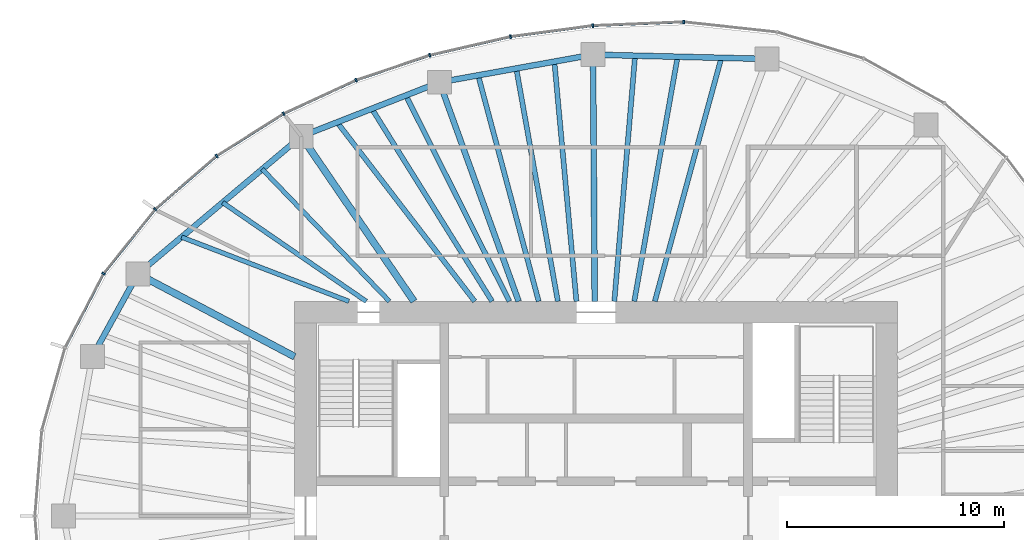
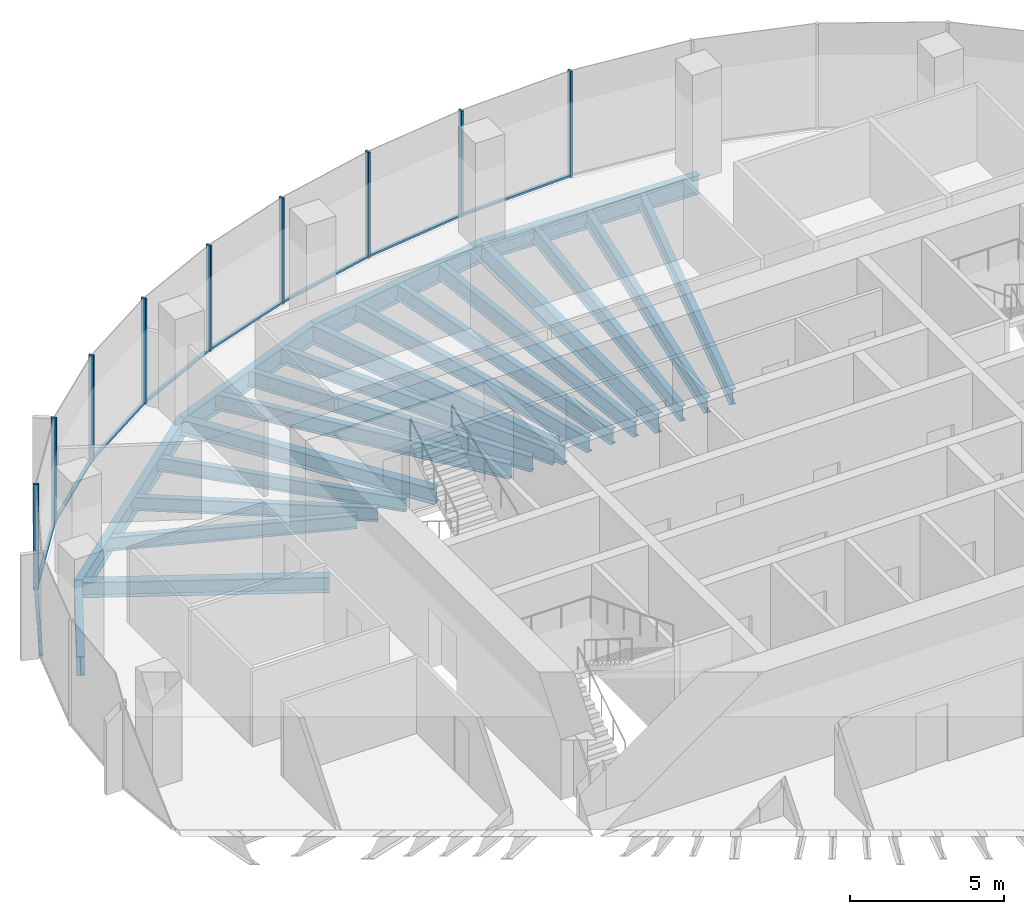
# One storey, part 5 of 12: 21 beams, 18 members, 5 elements without a shape of their own.
"""IFC4 building model written with IfcOpenShell, lengths in metres."""

from ifc_helpers import new_model, si_unit, direction, frame, origin, origin_2d, place, context, subcontext, project, spatial, rectangle, i_section, extrude, material, material_profile, profile_set, type_object, element, aggregate, save


model = new_model("IFC4")

# Units and contexts
model_context = context("Model", 3, precision=1e-05, world=origin(), true_north=direction((0.0, 1.0)))
body_context = subcontext(model_context, "Body", "Model", "MODEL_VIEW")
ifc_project = project(units=[si_unit("LENGTHUNIT", "METRE"), si_unit("AREAUNIT", "SQUARE_METRE"), si_unit("VOLUMEUNIT", "CUBIC_METRE"), si_unit("PLANEANGLEUNIT", "RADIAN"), si_unit("MASSUNIT", "GRAM", prefix="KILO")], contexts=[model_context])

# Site, building, storey
site_placement = place(None, origin())
site = spatial("IfcSite", under=ifc_project, at=site_placement, CompositionType="ELEMENT")
building_placement = place(site_placement, origin())
building = spatial("IfcBuilding", under=site, at=building_placement, Name="Ghaith Harvest Tower", CompositionType="ELEMENT")
storey_placement = place(building_placement, frame((0.0, 0.0, 300.60009765625)))
storey = spatial("IfcBuildingStorey", under=building, at=storey_placement, Name="L67", CompositionType="ELEMENT", Elevation=300.60009765625)

# Curtain wall, member
ifc_material_1 = material(Name="Black anodised aluminium and fritted glass", Category="aluminium")
curtain_wall_type = type_object("IfcCurtainWallType", Name="CW-T CURTAIN WALL", PredefinedType="NOTDEFINED", material=ifc_material_1)
curtain_wall_1_placement = place(storey_placement, origin())
curtain_wall_1 = element("IfcCurtainWall", 1, at=curtain_wall_1_placement, inside=storey, type_object=curtain_wall_type, Name="Curtain wall CW-T bay 05 L67", PredefinedType="NOTDEFINED")
ifc_material_2 = material(Name="Aluminium, black anodised", Category="aluminium")
ifc_material_profile_1 = material_profile(ifc_material_2, rectangle(XDim=0.080078125, YDim=0.179931640625, at=origin_2d()), Name="CW-T MULLION 80x180")
ifc_profile_set_1 = profile_set([ifc_material_profile_1], Name="Aluminium, black anodised")
member_type_1 = type_object("IfcMemberType", Name="CW-T MULLION 80x180", PredefinedType="MULLION", material=ifc_profile_set_1)
member_1_placement = place(storey_placement, frame((4.037841796875, 22.776611328125, 0.0), z_axis=(0.0, 0.0, 1.0), x_axis=(-0.999388631236, 0.034962319079, 0.0)))
member_1 = element("IfcMember", 2, at=member_1_placement, type_object=member_type_1, Name="CW-T mullion 2 bay 05 L67", PredefinedType="MULLION", context=body_context, shape_type="SweptSolid", body=[
    extrude(rectangle(XDim=0.080078125, YDim=0.179931640625, at=origin_2d()), origin(), (0.0, 0.0, 1.0), 4.199951171875),
])

# Curtain wall, members
curtain_wall_2_placement = place(storey_placement, origin())
curtain_wall_2 = element("IfcCurtainWall", 3, at=curtain_wall_2_placement, inside=storey, type_object=curtain_wall_type, Name="Curtain wall CW-T bay 06 L67", PredefinedType="NOTDEFINED")
member_2_placement = place(storey_placement, frame((-0.15478515625, 22.60595703125, 0.0), z_axis=(0.0, 0.0, 1.0), x_axis=(-0.996414855482, -0.084601629853, 0.0)))
member_2 = element("IfcMember", 4, at=member_2_placement, type_object=member_type_1, Name="CW-T mullion 1 bay 06 L67", PredefinedType="MULLION", context=body_context, shape_type="SweptSolid", body=[
    extrude(rectangle(XDim=0.080078125, YDim=0.179931640625, at=origin_2d()), origin(), (0.0, 0.0, 1.0), 4.199951171875),
])
member_3_placement = place(storey_placement, frame((-3.946533203125, 22.0986328125, 0.0), z_axis=(0.0, 0.0, 1.0), x_axis=(-0.983843447681, -0.179030920389, 0.0)))
member_3 = element("IfcMember", 5, at=member_3_placement, type_object=member_type_1, Name="CW-T mullion 2 bay 06 L67", PredefinedType="MULLION", context=body_context, shape_type="SweptSolid", body=[
    extrude(rectangle(XDim=0.080078125, YDim=0.179931640625, at=origin_2d()), origin(), (0.0, 0.0, 1.0), 4.199951171875),
])

curtain_wall_3_placement = place(storey_placement, origin())
curtain_wall_3 = element("IfcCurtainWall", 6, at=curtain_wall_3_placement, inside=storey, type_object=curtain_wall_type, Name="Curtain wall CW-T bay 07 L67", PredefinedType="NOTDEFINED")
member_4_placement = place(storey_placement, frame((-7.6708984375, 21.23828125, 0.0), z_axis=(0.0, 0.0, 1.0), x_axis=(-0.962552491436, -0.27109537294, 0.0)))
member_4 = element("IfcMember", 7, at=member_4_placement, type_object=member_type_1, Name="CW-T mullion 1 bay 07 L67", PredefinedType="MULLION", context=body_context, shape_type="SweptSolid", body=[
    extrude(rectangle(XDim=0.080078125, YDim=0.179931640625, at=origin_2d()), origin(), (0.0, 0.0, 1.0), 4.199951171875),
])
member_5_placement = place(storey_placement, frame((-11.0673828125, 20.093017578125, 0.0), z_axis=(0.0, 0.0, 1.0), x_axis=(-0.928624420706, -0.371021138573, 0.0)))
member_5 = element("IfcMember", 8, at=member_5_placement, type_object=member_type_1, Name="CW-T mullion 2 bay 07 L67", PredefinedType="MULLION", context=body_context, shape_type="SweptSolid", body=[
    extrude(rectangle(XDim=0.080078125, YDim=0.179931640625, at=origin_2d()), origin(), (0.0, 0.0, 1.0), 4.199951171875),
])

curtain_wall_4_placement = place(storey_placement, origin())
curtain_wall_4 = element("IfcCurtainWall", 9, at=curtain_wall_4_placement, inside=storey, type_object=curtain_wall_type, Name="Curtain wall CW-T bay 08 L67", PredefinedType="NOTDEFINED")
member_6_placement = place(storey_placement, frame((-14.40478515625, 18.5478515625, 0.0), z_axis=(0.0, 0.0, 1.0), x_axis=(-0.87867173244, -0.477426420101, 0.0)))
member_6 = element("IfcMember", 10, at=member_6_placement, type_object=member_type_1, Name="CW-T mullion 1 bay 08 L67", PredefinedType="MULLION", context=body_context, shape_type="SweptSolid", body=[
    extrude(rectangle(XDim=0.080078125, YDim=0.179931640625, at=origin_2d()), origin(), (0.0, 0.0, 1.0), 4.199951171875),
])
member_7_placement = place(storey_placement, frame((-17.49462890625, 16.600830078125, 0.0), z_axis=(0.0, 0.0, 1.0), x_axis=(-0.802189888678, -0.597068993084, 0.0)))
member_7 = element("IfcMember", 11, at=member_7_placement, type_object=member_type_1, Name="CW-T mullion 2 bay 08 L67", PredefinedType="MULLION", context=body_context, shape_type="SweptSolid", body=[
    extrude(rectangle(XDim=0.080078125, YDim=0.179931640625, at=origin_2d()), origin(), (0.0, 0.0, 1.0), 4.199951171875),
])

curtain_wall_5_placement = place(storey_placement, origin())
curtain_wall_5 = element("IfcCurtainWall", 12, at=curtain_wall_5_placement, inside=storey, type_object=curtain_wall_type, Name="Curtain wall CW-T bay 09 L67", PredefinedType="NOTDEFINED")
member_8_placement = place(storey_placement, frame((-20.324462890625, 14.141845703125, 0.0), z_axis=(0.0, 0.0, 1.0), x_axis=(-0.692826491995, -0.72110432809, 0.0)))
member_8 = element("IfcMember", 13, at=member_8_placement, type_object=member_type_1, Name="CW-T mullion 1 bay 09 L67", PredefinedType="MULLION", context=body_context, shape_type="SweptSolid", body=[
    extrude(rectangle(XDim=0.080078125, YDim=0.179931640625, at=origin_2d()), origin(), (0.0, 0.0, 1.0), 4.199951171875),
])
member_9_placement = place(storey_placement, frame((-22.706298828125, 11.176513671875, 0.0), z_axis=(0.0, 0.0, 1.0), x_axis=(-0.545865412621, -0.837872872997, 0.0)))
member_9 = element("IfcMember", 14, at=member_9_placement, type_object=member_type_1, Name="CW-T mullion 2 bay 09 L67", PredefinedType="MULLION", context=body_context, shape_type="SweptSolid", body=[
    extrude(rectangle(XDim=0.080078125, YDim=0.179931640625, at=origin_2d()), origin(), (0.0, 0.0, 1.0), 4.199951171875),
])

# Member
ifc_material_3 = material(Name="Aluminium, black anodised", Category="aluminium")
ifc_material_profile_2 = material_profile(ifc_material_3, rectangle(XDim=0.1201171875, YDim=0.080078125, at=origin_2d()), Name="CW-T TRANSOM 120x80")
ifc_profile_set_2 = profile_set([ifc_material_profile_2], Name="Aluminium, black anodised")
member_type_2 = type_object("IfcMemberType", Name="CW-T TRANSOM 120x80", PredefinedType="USERDEFINED", material=ifc_profile_set_2)
member_10_placement = place(storey_placement, frame((3.997802734375, 22.77490234375, 0.039794921875), z_axis=(-0.999174207562, -0.040631304968, 0.0), x_axis=(0.040631304968, -0.999174207562, 0.0)))
member_10 = element("IfcMember", 15, at=member_10_placement, type_object=member_type_2, Name="CW-T transom 2 bay 05 L67", ObjectType="TRANSOM", PredefinedType="USERDEFINED", context=body_context, shape_type="SweptSolid", body=[
    extrude(rectangle(XDim=0.1201171875, YDim=0.080078125, at=origin_2d()), origin(), (0.0, 0.0, 1.0), 4.115966796875),
])

aggregate(curtain_wall_1, [member_1, member_10])

member_11_placement = place(storey_placement, frame((-0.1943359375, 22.6005859375, 0.039794921875), z_axis=(-0.99117202259, -0.132582131655, 0.0), x_axis=(0.132582131655, -0.99117202259, 0.0)))
member_11 = element("IfcMember", 16, at=member_11_placement, type_object=member_type_2, Name="CW-T transom 1 bay 06 L67", ObjectType="TRANSOM", PredefinedType="USERDEFINED", context=body_context, shape_type="SweptSolid", body=[
    extrude(rectangle(XDim=0.1201171875, YDim=0.080078125, at=origin_2d()), origin(), (0.0, 0.0, 1.0), 3.745361328125),
])

member_12_placement = place(storey_placement, frame((-3.9853515625, 22.089599609375, 0.039794921875), z_axis=(-0.974344997799, -0.225059603803, 0.0), x_axis=(0.225059603803, -0.974344997799, 0.0)))
member_12 = element("IfcMember", 17, at=member_12_placement, type_object=member_type_2, Name="CW-T transom 2 bay 06 L67", ObjectType="TRANSOM", PredefinedType="USERDEFINED", context=body_context, shape_type="SweptSolid", body=[
    extrude(rectangle(XDim=0.1201171875, YDim=0.080078125, at=origin_2d()), origin(), (0.0, 0.0, 1.0), 3.742431640625),
])

aggregate(curtain_wall_2, [member_2, member_11, member_3, member_12])

member_13_placement = place(storey_placement, frame((-7.708740234375, 21.2255859375, 0.039794921875), z_axis=(-0.9475698206, -0.319548799228, 0.0), x_axis=(0.319548799228, -0.9475698206, 0.0)))
member_13 = element("IfcMember", 18, at=member_13_placement, type_object=member_type_2, Name="CW-T transom 1 bay 07 L67", ObjectType="TRANSOM", PredefinedType="USERDEFINED", context=body_context, shape_type="SweptSolid", body=[
    extrude(rectangle(XDim=0.1201171875, YDim=0.080078125, at=origin_2d()), origin(), (0.0, 0.0, 1.0), 3.504638671875),
])

member_14_placement = place(storey_placement, frame((-11.103759765625, 20.076171875, 0.039794921875), z_axis=(-0.907472177056, -0.420112184862, 0.0), x_axis=(0.420112184862, -0.907472177056, 0.0)))
member_14 = element("IfcMember", 19, at=member_14_placement, type_object=member_type_2, Name="CW-T transom 2 bay 07 L67", ObjectType="TRANSOM", PredefinedType="USERDEFINED", context=body_context, shape_type="SweptSolid", body=[
    extrude(rectangle(XDim=0.1201171875, YDim=0.080078125, at=origin_2d()), origin(), (0.0, 0.0, 1.0), 3.597900390625),
])

aggregate(curtain_wall_3, [member_4, member_13, member_5, member_14])

member_15_placement = place(storey_placement, frame((-14.438720703125, 18.5263671875, 0.039794921875), z_axis=(-0.846053602505, -0.533097835006, 0.0), x_axis=(0.533097835006, -0.846053602505, 0.0)))
member_15 = element("IfcMember", 20, at=member_15_placement, type_object=member_type_2, Name="CW-T transom 1 bay 08 L67", ObjectType="TRANSOM", PredefinedType="USERDEFINED", context=body_context, shape_type="SweptSolid", body=[
    extrude(rectangle(XDim=0.1201171875, YDim=0.080078125, at=origin_2d()), origin(), (0.0, 0.0, 1.0), 3.572021484375),
])

member_16_placement = place(storey_placement, frame((-17.52490234375, 16.574462890625, 0.039794921875), z_axis=(-0.754851889287, -0.65589528527, 0.0), x_axis=(0.65589528527, -0.754851889287, 0.0)))
member_16 = element("IfcMember", 21, at=member_16_placement, type_object=member_type_2, Name="CW-T transom 2 bay 08 L67", ObjectType="TRANSOM", PredefinedType="USERDEFINED", context=body_context, shape_type="SweptSolid", body=[
    extrude(rectangle(XDim=0.1201171875, YDim=0.080078125, at=origin_2d()), origin(), (0.0, 0.0, 1.0), 3.668701171875),
])

aggregate(curtain_wall_4, [member_6, member_15, member_7, member_16])

member_17_placement = place(storey_placement, frame((-20.349365234375, 14.110595703125, 0.039794921875), z_axis=(-0.626253073761, -0.779619835307, 0.0), x_axis=(0.779619835307, -0.626253073761, 0.0)))
member_17 = element("IfcMember", 22, at=member_17_placement, type_object=member_type_2, Name="CW-T transom 1 bay 09 L67", ObjectType="TRANSOM", PredefinedType="USERDEFINED", context=body_context, shape_type="SweptSolid", body=[
    extrude(rectangle(XDim=0.1201171875, YDim=0.080078125, at=origin_2d()), origin(), (0.0, 0.0, 1.0), 3.723388671875),
])

member_18_placement = place(storey_placement, frame((-22.724609375, 11.14111328125, 0.039794921875), z_axis=(-0.461242681347, -0.887274021317, 0.0), x_axis=(0.887274021317, -0.461242681347, 0.0)))
member_18 = element("IfcMember", 23, at=member_18_placement, type_object=member_type_2, Name="CW-T transom 2 bay 09 L67", ObjectType="TRANSOM", PredefinedType="USERDEFINED", context=body_context, shape_type="SweptSolid", body=[
    extrude(rectangle(XDim=0.1201171875, YDim=0.080078125, at=origin_2d()), origin(), (0.0, 0.0, 1.0), 3.77197265625),
])

aggregate(curtain_wall_5, [member_8, member_17, member_9, member_18])

# Beams
ifc_material_4 = material(Name="Steel ASTM A992 Grade 50", Category="steel")
ifc_material_profile_3 = material_profile(ifc_material_4, i_section(OverallWidth=0.26611328125, OverallDepth=0.758056640625, WebThickness=0.013916015625, FlangeThickness=0.019287109375, at=origin_2d()), Name="W760X161")
ifc_profile_set_3 = profile_set([ifc_material_profile_3], Name="Steel ASTM A992 Grade 50")
beam_type_1 = type_object("IfcBeamType", Name="E760-161 W760X161", PredefinedType="SPANDREL", material=ifc_profile_set_3)
beam_1_placement = place(storey_placement, frame((7.8779296875, 21.072021484375, -0.549072265625), z_axis=(-0.999692679676, 0.024790042413, 0.0), x_axis=(-0.024790042413, -0.999692679676, 0.0)))
element("IfcBeam", 24, at=beam_1_placement, inside=storey, type_object=beam_type_1, Name="Edge beam E05 L67", PredefinedType="SPANDREL", context=body_context, shape_type="SweptSolid", body=[
    extrude(i_section(OverallWidth=0.26611328125, OverallDepth=0.758056640625, WebThickness=0.013916015625, FlangeThickness=0.019287109375, at=origin_2d()), origin(), (0.0, 0.0, 1.0), 8.0263671875),
])
beam_2_placement = place(storey_placement, frame((-0.14599609375, 21.27099609375, -0.549072265625), z_axis=(-0.984177047684, -0.177187863051, 0.0), x_axis=(0.177187863051, -0.984177047684, 0.0)))
element("IfcBeam", 25, at=beam_2_placement, inside=storey, type_object=beam_type_1, Name="Edge beam E06 L67", PredefinedType="SPANDREL", context=body_context, shape_type="SweptSolid", body=[
    extrude(i_section(OverallWidth=0.26611328125, OverallDepth=0.758056640625, WebThickness=0.013916015625, FlangeThickness=0.019287109375, at=origin_2d()), origin(), (0.0, 0.0, 1.0), 7.189697265625),
])
beam_3_placement = place(storey_placement, frame((-7.221923828125, 19.9970703125, -0.549072265625), z_axis=(-0.931322768207, -0.364194867371, 0.0), x_axis=(0.364194867371, -0.931322768207, 0.0)))
element("IfcBeam", 26, at=beam_3_placement, inside=storey, type_object=beam_type_1, Name="Edge beam E07 L67", PredefinedType="SPANDREL", context=body_context, shape_type="SweptSolid", body=[
    extrude(i_section(OverallWidth=0.26611328125, OverallDepth=0.758056640625, WebThickness=0.013916015625, FlangeThickness=0.019287109375, at=origin_2d()), origin(), (0.0, 0.0, 1.0), 6.843017578125),
])
beam_4_placement = place(storey_placement, frame((-13.594970703125, 17.5048828125, -0.549072265625), z_axis=(-0.765021818761, -0.64400436087, 0.0), x_axis=(0.64400436087, -0.765021818761, 0.0)))
element("IfcBeam", 27, at=beam_4_placement, inside=storey, type_object=beam_type_1, Name="Edge beam E08 L67", PredefinedType="SPANDREL", context=body_context, shape_type="SweptSolid", body=[
    extrude(i_section(OverallWidth=0.26611328125, OverallDepth=0.758056640625, WebThickness=0.013916015625, FlangeThickness=0.019287109375, at=origin_2d()), origin(), (0.0, 0.0, 1.0), 9.8427734375),
])
beam_5_placement = place(storey_placement, frame((-21.125, 11.166015625, -0.549072265625), z_axis=(-0.482955575345, -0.875644855089, 0.0), x_axis=(0.875644855089, -0.482955575345, 0.0)))
element("IfcBeam", 28, at=beam_5_placement, inside=storey, type_object=beam_type_1, Name="Edge beam E09 L67", PredefinedType="SPANDREL", context=body_context, shape_type="SweptSolid", body=[
    extrude(i_section(OverallWidth=0.26611328125, OverallDepth=0.758056640625, WebThickness=0.013916015625, FlangeThickness=0.019287109375, at=origin_2d()), origin(), (0.0, 0.0, 1.0), 4.346435546875),
])
ifc_material_5 = material(Name="Steel ASTM A992 Grade 50", Category="steel")
ifc_material_profile_4 = material_profile(ifc_material_5, i_section(OverallWidth=0.323974609375, OverallDepth=0.611083984375, WebThickness=0.0126953125, FlangeThickness=0.01904296875, at=origin_2d()), Name="W610X155")
ifc_profile_set_4 = profile_set([ifc_material_profile_4], Name="Steel ASTM A992 Grade 50")
beam_type_2 = type_object("IfcBeamType", Name="G610-155 W610X155", PredefinedType="BEAM", material=ifc_profile_set_4)
beam_6_placement = place(storey_placement, frame((-8.39990234375, 9.89990234375, -0.4755859375), z_axis=(-0.564067018201, 0.825729010619, 0.0), x_axis=(-0.825729010619, -0.564067018201, 0.0)))
element("IfcBeam", 29, at=beam_6_placement, inside=storey, type_object=beam_type_2, Name="Radial girder G08 L67", PredefinedType="BEAM", context=body_context, shape_type="SweptSolid", body=[
    extrude(i_section(OverallWidth=0.323974609375, OverallDepth=0.611083984375, WebThickness=0.0126953125, FlangeThickness=0.01904296875, at=origin_2d()), origin(), (0.0, 0.0, 1.0), 9.2099609375),
])
beam_7_placement = place(storey_placement, frame((-13.89990234375, 7.34716796875, -0.4755859375), z_axis=(-0.88410164037, 0.467294649546, 0.0), x_axis=(-0.467294649546, -0.88410164037, 0.0)))
element("IfcBeam", 30, at=beam_7_placement, inside=storey, type_object=beam_type_2, Name="Radial girder G09 L67", PredefinedType="BEAM", context=body_context, shape_type="SweptSolid", body=[
    extrude(i_section(OverallWidth=0.323974609375, OverallDepth=0.611083984375, WebThickness=0.0126953125, FlangeThickness=0.01904296875, at=origin_2d()), origin(), (0.0, 0.0, 1.0), 8.17236328125),
])
ifc_material_6 = material(Name="Steel ASTM A992 Grade 50", Category="steel")
ifc_material_profile_5 = material_profile(ifc_material_6, i_section(OverallWidth=0.26611328125, OverallDepth=0.758056640625, WebThickness=0.013916015625, FlangeThickness=0.019287109375, at=origin_2d()), Name="W760X161")
ifc_profile_set_5 = profile_set([ifc_material_profile_5], Name="Steel ASTM A992 Grade 50")
beam_type_3 = type_object("IfcBeamType", Name="G760-161 W760X161", PredefinedType="BEAM", material=ifc_profile_set_5)
beam_8_placement = place(storey_placement, frame((-0.06787109375, 9.89990234375, -0.549072265625), z_axis=(-0.00687032909, 0.999976399011, 0.0), x_axis=(-0.999976399011, -0.00687032909, 0.0)))
element("IfcBeam", 31, at=beam_8_placement, inside=storey, type_object=beam_type_3, Name="Radial girder G06 L67", PredefinedType="BEAM", context=body_context, shape_type="SweptSolid", body=[
    extrude(i_section(OverallWidth=0.26611328125, OverallDepth=0.758056640625, WebThickness=0.013916015625, FlangeThickness=0.019287109375, at=origin_2d()), origin(), (0.0, 0.0, 1.0), 11.371337890625),
])
beam_9_placement = place(storey_placement, frame((-3.57568359375, 9.89990234375, -0.549072265625), z_axis=(-0.339647816823, 0.940552688863, 0.0), x_axis=(-0.940552688863, -0.339647816823, 0.0)))
element("IfcBeam", 32, at=beam_9_placement, inside=storey, type_object=beam_type_3, Name="Radial girder G07 L67", PredefinedType="BEAM", context=body_context, shape_type="SweptSolid", body=[
    extrude(i_section(OverallWidth=0.26611328125, OverallDepth=0.758056640625, WebThickness=0.013916015625, FlangeThickness=0.019287109375, at=origin_2d()), origin(), (0.0, 0.0, 1.0), 10.7353515625),
])
ifc_material_7 = material(Name="Steel ASTM A992 Grade 50", Category="steel")
ifc_material_profile_6 = material_profile(ifc_material_7, i_section(OverallWidth=0.2109375, OverallDepth=0.5390625, WebThickness=0.01171875, FlangeThickness=0.018798828125, at=origin_2d()), Name="W530X109")
ifc_profile_set_6 = profile_set([ifc_material_profile_6], Name="Steel ASTM A992 Grade 50")
beam_type_4 = type_object("IfcBeamType", Name="J530-109 W530X109", PredefinedType="JOIST", material=ifc_profile_set_6)
beam_10_placement = place(storey_placement, frame((-9.530517578125, 9.89990234375, -0.439697265625), z_axis=(-0.693536238632, 0.720421741554, 0.0), x_axis=(-0.720421741554, -0.693536238632, 0.0)))
element("IfcBeam", 33, at=beam_10_placement, inside=storey, type_object=beam_type_4, Name="Joist J08.1 L67", PredefinedType="JOIST", context=body_context, shape_type="SweptSolid", body=[
    extrude(i_section(OverallWidth=0.2109375, OverallDepth=0.5390625, WebThickness=0.01171875, FlangeThickness=0.018798828125, at=origin_2d()), origin(), (0.0, 0.0, 1.0), 8.4541015625),
])
beam_11_placement = place(storey_placement, frame((-10.60009765625, 9.89990234375, -0.439697265625), z_axis=(-0.823778502511, 0.566911791023, 0.0), x_axis=(-0.566911791023, -0.823778502511, 0.0)))
element("IfcBeam", 34, at=beam_11_placement, inside=storey, type_object=beam_type_4, Name="Joist J08.2 L67", PredefinedType="JOIST", context=body_context, shape_type="SweptSolid", body=[
    extrude(i_section(OverallWidth=0.2109375, OverallDepth=0.5390625, WebThickness=0.01171875, FlangeThickness=0.018798828125, at=origin_2d()), origin(), (0.0, 0.0, 1.0), 8.0341796875),
])
beam_12_placement = place(storey_placement, frame((-11.39990234375, 9.89990234375, -0.439697265625), z_axis=(-0.933583045329, 0.358361127181, 0.0), x_axis=(-0.358361127181, -0.933583045329, 0.0)))
element("IfcBeam", 35, at=beam_12_placement, inside=storey, type_object=beam_type_4, Name="Joist J08.3 L67", PredefinedType="JOIST", context=body_context, shape_type="SweptSolid", body=[
    extrude(i_section(OverallWidth=0.2109375, OverallDepth=0.5390625, WebThickness=0.01171875, FlangeThickness=0.018798828125, at=origin_2d()), origin(), (0.0, 0.0, 1.0), 8.260986328125),
])
ifc_material_8 = material(Name="Steel ASTM A992 Grade 50", Category="steel")
ifc_material_profile_7 = material_profile(ifc_material_8, i_section(OverallWidth=0.22998046875, OverallDepth=0.616943359375, WebThickness=0.01318359375, FlangeThickness=0.022216796875, at=origin_2d()), Name="W610X140")
ifc_profile_set_7 = profile_set([ifc_material_profile_7], Name="Steel ASTM A992 Grade 50")
beam_type_5 = type_object("IfcBeamType", Name="J610-140 W610X140", PredefinedType="JOIST", material=ifc_profile_set_7)
beam_13_placement = place(storey_placement, frame((2.70361328125, 9.89990234375, -0.478515625), z_axis=(0.263456499314, 0.964671277156, 0.0), x_axis=(-0.964671277156, 0.263456499314, 0.0)))
element("IfcBeam", 36, at=beam_13_placement, inside=storey, type_object=beam_type_5, Name="Joist J05.1 L67", PredefinedType="JOIST", context=body_context, shape_type="SweptSolid", body=[
    extrude(i_section(OverallWidth=0.22998046875, OverallDepth=0.616943359375, WebThickness=0.01318359375, FlangeThickness=0.022216796875, at=origin_2d()), origin(), (0.0, 0.0, 1.0), 11.635498046875),
])
beam_14_placement = place(storey_placement, frame((1.7548828125, 9.89990234375, -0.478515625), z_axis=(0.174562528022, 0.984646090639, 0.0), x_axis=(-0.984646090639, 0.174562528022, 0.0)))
element("IfcBeam", 37, at=beam_14_placement, inside=storey, type_object=beam_type_5, Name="Joist J05.2 L67", PredefinedType="JOIST", context=body_context, shape_type="SweptSolid", body=[
    extrude(i_section(OverallWidth=0.22998046875, OverallDepth=0.616943359375, WebThickness=0.01318359375, FlangeThickness=0.022216796875, at=origin_2d()), origin(), (0.0, 0.0, 1.0), 11.4501953125),
])
beam_15_placement = place(storey_placement, frame((0.836669921875, 9.89990234375, -0.478515625), z_axis=(0.084199386432, 0.996448926601, 0.0), x_axis=(-0.996448926601, 0.084199386432, 0.0)))
element("IfcBeam", 38, at=beam_15_placement, inside=storey, type_object=beam_type_5, Name="Joist J05.3 L67", PredefinedType="JOIST", context=body_context, shape_type="SweptSolid", body=[
    extrude(i_section(OverallWidth=0.22998046875, OverallDepth=0.616943359375, WebThickness=0.01318359375, FlangeThickness=0.022216796875, at=origin_2d()), origin(), (0.0, 0.0, 1.0), 11.36328125),
])
beam_16_placement = place(storey_placement, frame((-0.9111328125, 9.89990234375, -0.478515625), z_axis=(-0.091654473201, 0.995790870385, 0.0), x_axis=(-0.995790870385, -0.091654473201, 0.0)))
element("IfcBeam", 39, at=beam_16_placement, inside=storey, type_object=beam_type_5, Name="Joist J06.1 L67", PredefinedType="JOIST", context=body_context, shape_type="SweptSolid", body=[
    extrude(i_section(OverallWidth=0.22998046875, OverallDepth=0.616943359375, WebThickness=0.01318359375, FlangeThickness=0.022216796875, at=origin_2d()), origin(), (0.0, 0.0, 1.0), 11.096923828125),
])
beam_17_placement = place(storey_placement, frame((-1.76806640625, 9.89990234375, -0.478515625), z_axis=(-0.175789088574, 0.984427852277, 0.0), x_axis=(-0.984427852277, -0.175789088574, 0.0)))
element("IfcBeam", 40, at=beam_17_placement, inside=storey, type_object=beam_type_5, Name="Joist J06.2 L67", PredefinedType="JOIST", context=body_context, shape_type="SweptSolid", body=[
    extrude(i_section(OverallWidth=0.22998046875, OverallDepth=0.616943359375, WebThickness=0.01318359375, FlangeThickness=0.022216796875, at=origin_2d()), origin(), (0.0, 0.0, 1.0), 10.903564453125),
])
beam_18_placement = place(storey_placement, frame((-2.651123046875, 9.89990234375, -0.478515625), z_axis=(-0.258678376387, 0.96596350738, 0.0), x_axis=(-0.96596350738, -0.258678376387, 0.0)))
element("IfcBeam", 41, at=beam_18_placement, inside=storey, type_object=beam_type_5, Name="Joist J06.3 L67", PredefinedType="JOIST", context=body_context, shape_type="SweptSolid", body=[
    extrude(i_section(OverallWidth=0.22998046875, OverallDepth=0.616943359375, WebThickness=0.01318359375, FlangeThickness=0.022216796875, at=origin_2d()), origin(), (0.0, 0.0, 1.0), 10.784912109375),
])
beam_19_placement = place(storey_placement, frame((-4.0, 9.89990234375, -0.478515625), z_axis=(-0.449556131123, 0.893252083664, 0.0), x_axis=(-0.893252083664, -0.449556131123, 0.0)))
element("IfcBeam", 42, at=beam_19_placement, inside=storey, type_object=beam_type_5, Name="Joist J07.1 L67", PredefinedType="JOIST", context=body_context, shape_type="SweptSolid", body=[
    extrude(i_section(OverallWidth=0.22998046875, OverallDepth=0.616943359375, WebThickness=0.01318359375, FlangeThickness=0.022216796875, at=origin_2d()), origin(), (0.0, 0.0, 1.0), 10.62353515625),
])
beam_20_placement = place(storey_placement, frame((-4.800048828125, 9.89990234375, -0.478515625), z_axis=(-0.529596254905, 0.848249849273, 0.0), x_axis=(-0.848249849273, -0.529596254905, 0.0)))
element("IfcBeam", 43, at=beam_20_placement, inside=storey, type_object=beam_type_5, Name="Joist J07.2 L67", PredefinedType="JOIST", context=body_context, shape_type="SweptSolid", body=[
    extrude(i_section(OverallWidth=0.22998046875, OverallDepth=0.616943359375, WebThickness=0.01318359375, FlangeThickness=0.022216796875, at=origin_2d()), origin(), (0.0, 0.0, 1.0), 10.465087890625),
])
beam_21_placement = place(storey_placement, frame((-5.60009765625, 9.89990234375, -0.478515625), z_axis=(-0.609353577926, 0.792898617144, 0.0), x_axis=(-0.792898617144, -0.609353577926, 0.0)))
element("IfcBeam", 44, at=beam_21_placement, inside=storey, type_object=beam_type_5, Name="Joist J07.3 L67", PredefinedType="JOIST", context=body_context, shape_type="SweptSolid", body=[
    extrude(i_section(OverallWidth=0.22998046875, OverallDepth=0.616943359375, WebThickness=0.01318359375, FlangeThickness=0.022216796875, at=origin_2d()), origin(), (0.0, 0.0, 1.0), 10.406982421875),
])

save(model, "model.ifc")
